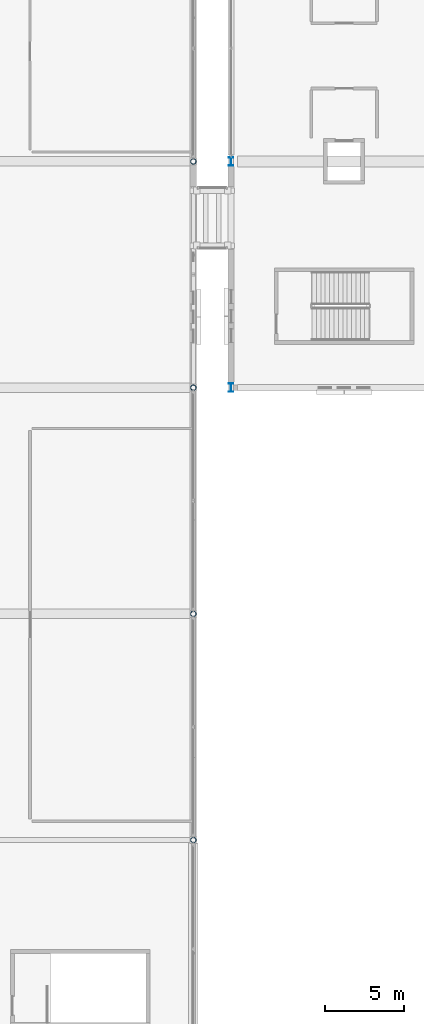
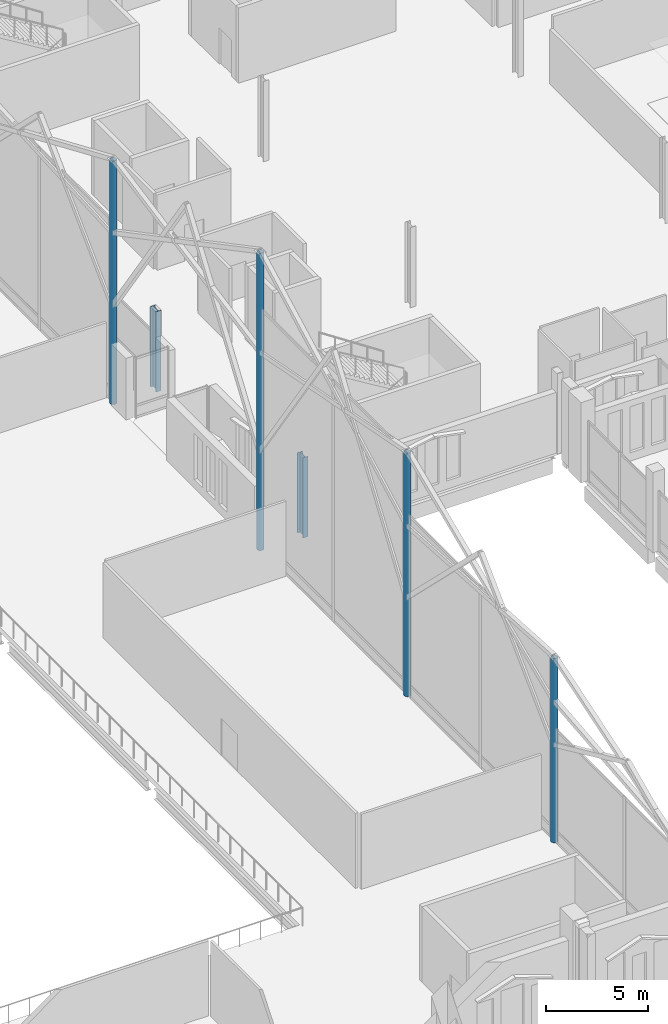
# One storey, part 11 of 220: 6 columns.
"""IFC4 building model written with IfcOpenShell, lengths in metres."""

from ifc_helpers import new_model, si_unit, direction, frame, origin, origin_2d, place, context, subcontext, project, spatial, hollow_circle, i_section, extrude, material, material_profile, profile_set, type_object, element, save


model = new_model("IFC4")

# Units and contexts
model_context = context("Model", 3, precision=1e-05, world=origin(), true_north=direction((0.0, 1.0)))
body_context = subcontext(model_context, "Body", "Model", "MODEL_VIEW")
ifc_project = project(units=[si_unit("LENGTHUNIT", "METRE"), si_unit("AREAUNIT", "SQUARE_METRE"), si_unit("VOLUMEUNIT", "CUBIC_METRE"), si_unit("PLANEANGLEUNIT", "RADIAN"), si_unit("MASSUNIT", "GRAM", prefix="KILO")], contexts=[model_context])

# Site, building, storey
site_placement = place(None, origin())
site = spatial("IfcSite", under=ifc_project, at=site_placement, CompositionType="ELEMENT")
building_placement = place(site_placement, origin())
building = spatial("IfcBuilding", under=site, at=building_placement, Name="Cendralis Lancet Convention Centre", CompositionType="ELEMENT")
storey_placement = place(building_placement, frame((0.0, 0.0, 5.39990234375)))
storey = spatial("IfcBuildingStorey", under=building, at=storey_placement, Name="L01", CompositionType="ELEMENT", Elevation=5.39990234375)

# Columns
ifc_material = material(Name="Steel S355", Category="steel")
ifc_material_profile_1 = material_profile(ifc_material, i_section(OverallWidth=0.300048828125, OverallDepth=0.550048828125, WebThickness=0.014892578125, FlangeThickness=0.029052734375, FilletRadius=0.027099609375, at=origin_2d()), Name="HEB 550")
ifc_profile_set_1 = profile_set([ifc_material_profile_1], Name="Steel S355")
column_type_1 = type_object("IfcColumnType", Name="STR-COL-C22", PredefinedType="COLUMN", material=ifc_profile_set_1)
for number, where, z_axis, x_axis, name in (
    (1, (124.800048828125, 93.60009765625, 0.0), (0.0, 0.0, 1.0), (1.0, 0.0, 0.0), "L01 Column C22 at 124.8,93.6"),
    (2, (124.800048828125, 108.0, 0.0), (0.0, 0.0, 1.0), (1.0, 0.0, 0.0), "L01 Column C22 at 124.8,108.0"),
):
    element("IfcColumn", number, at=place(storey_placement, frame(where, z_axis=z_axis, x_axis=x_axis)), inside=storey, type_object=column_type_1, Name=name, PredefinedType="COLUMN", context=body_context, shape_type="SweptSolid", body=[
        extrude(i_section(OverallWidth=0.300048828125, OverallDepth=0.550048828125, WebThickness=0.014892578125, FlangeThickness=0.029052734375, FilletRadius=0.027099609375, at=origin_2d()), origin(), (0.0, 0.0, 1.0), 4.800048828125),
    ])
ifc_material_profile_2 = material_profile(ifc_material, hollow_circle(Radius=0.177734375, WallThickness=0.01611328125, at=origin_2d()), Name="CHS 355.6x16.0")
ifc_profile_set_2 = profile_set([ifc_material_profile_2], Name="Steel S355")
column_type_2 = type_object("IfcColumnType", Name="STR-COL-C28", PredefinedType="COLUMN", material=ifc_profile_set_2)
column_1_placement = place(storey_placement, frame((122.39990234375, 64.800048828125, 0.0), z_axis=(0.0, 0.0, 1.0), x_axis=(1.0, 0.0, 0.0)))
element("IfcColumn", 3, at=column_1_placement, inside=storey, type_object=column_type_2, Name="L01 Column C28 at 122.4,64.8", PredefinedType="COLUMN", context=body_context, shape_type="SweptSolid", body=[
    extrude(hollow_circle(Radius=0.177734375, WallThickness=0.01611328125, at=origin_2d()), origin(), (0.0, 0.0, 1.0), 11.0009765625),
])
column_2_placement = place(storey_placement, frame((122.39990234375, 79.199951171875, 0.0), z_axis=(0.0, 0.0, 1.0), x_axis=(1.0, 0.0, 0.0)))
element("IfcColumn", 4, at=column_2_placement, inside=storey, type_object=column_type_2, Name="L01 Column C28 at 122.4,79.2", PredefinedType="COLUMN", context=body_context, shape_type="SweptSolid", body=[
    extrude(hollow_circle(Radius=0.177734375, WallThickness=0.01611328125, at=origin_2d()), origin(), (0.0, 0.0, 1.0), 14.55615234375),
])
column_3_placement = place(storey_placement, frame((122.39990234375, 93.60009765625, 0.0), z_axis=(0.0, 0.0, 1.0), x_axis=(1.0, 0.0, 0.0)))
element("IfcColumn", 5, at=column_3_placement, inside=storey, type_object=column_type_2, Name="L01 Column C28 at 122.4,93.6", PredefinedType="COLUMN", context=body_context, shape_type="SweptSolid", body=[
    extrude(hollow_circle(Radius=0.177734375, WallThickness=0.01611328125, at=origin_2d()), origin(), (0.0, 0.0, 1.0), 17.774169921875),
])
column_4_placement = place(storey_placement, frame((122.39990234375, 108.0, 0.0), z_axis=(0.0, 0.0, 1.0), x_axis=(1.0, 0.0, 0.0)))
element("IfcColumn", 6, at=column_4_placement, inside=storey, type_object=column_type_2, Name="L01 Column C28 at 122.4,108.0", PredefinedType="COLUMN", context=body_context, shape_type="SweptSolid", body=[
    extrude(hollow_circle(Radius=0.177734375, WallThickness=0.01611328125, at=origin_2d()), origin(), (0.0, 0.0, 1.0), 14.55615234375),
])

save(model, "model.ifc")
